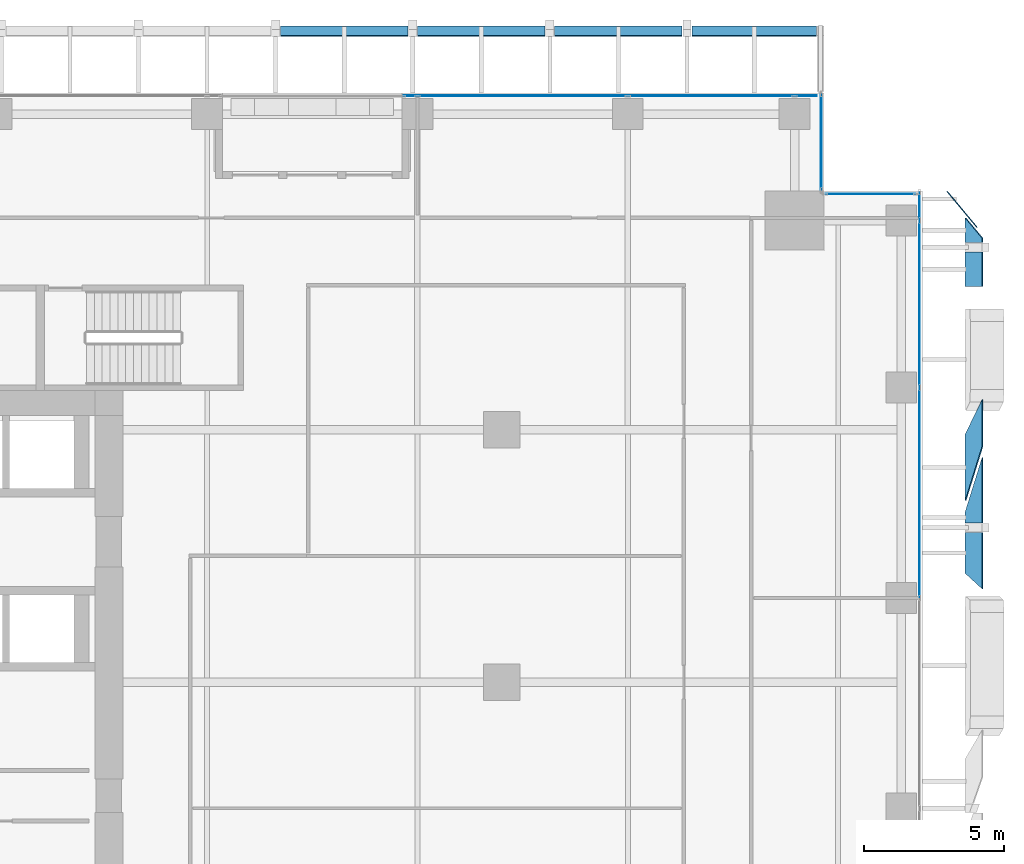
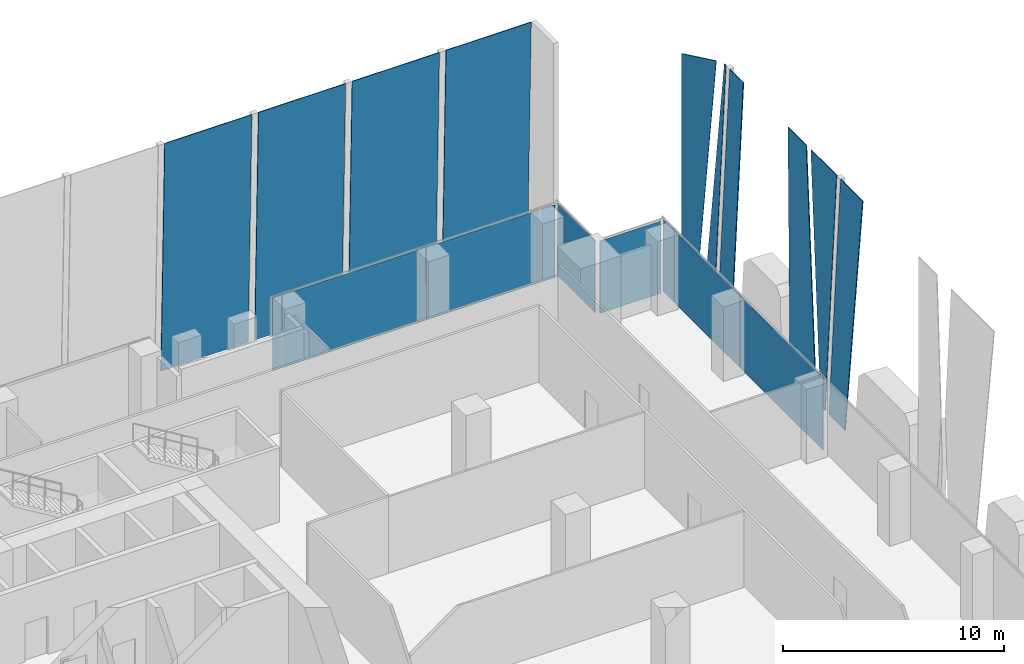
# One storey, part 25 of 34: 19 plates, 4 elements without a shape of their own.
"""IFC4 building model written with IfcOpenShell, lengths in metres."""

from ifc_helpers import new_model, si_unit, direction, frame, origin, origin_2d, place, context, subcontext, project, spatial, polyline, rectangle, outline, extrude, source, transform, mapped, material, layer, layer_set, type_object, element, aggregate, save


model = new_model("IFC4")

# Units and contexts
model_context = context("Model", 3, precision=1e-05, world=origin(), true_north=direction((0.0, 1.0)))
body_context = subcontext(model_context, "Body", "Model", "MODEL_VIEW")
ifc_project = project(units=[si_unit("LENGTHUNIT", "METRE"), si_unit("AREAUNIT", "SQUARE_METRE"), si_unit("VOLUMEUNIT", "CUBIC_METRE"), si_unit("PLANEANGLEUNIT", "RADIAN"), si_unit("MASSUNIT", "GRAM", prefix="KILO")], contexts=[model_context])

# Site, building, storey
site_placement = place(None, origin())
site = spatial("IfcSite", under=ifc_project, at=site_placement, CompositionType="ELEMENT")
building_placement = place(site_placement, origin())
building = spatial("IfcBuilding", under=site, at=building_placement, Name="Khomas Fold Tower", CompositionType="ELEMENT")
storey_placement = place(building_placement, frame((0.0, 0.0, 114.699951171875)))
storey = spatial("IfcBuildingStorey", under=building, at=storey_placement, Name="L24", CompositionType="ELEMENT", Elevation=114.699951171875)

# Plates
ifc_material_1 = material(Name="Clear laminated glass", Category="glass")
ifc_layer_1 = layer(ifc_material_1, 0.0400390625)
ifc_layer_set_1 = layer_set([ifc_layer_1], Name="Clear laminated glass")
plate_type_1 = type_object("IfcPlateType", Name="SK-Clear laminated glass leaf", PredefinedType="SHEET", material=ifc_layer_set_1)
plate_1_placement = place(storey_placement, frame((54.026611328125, 40.335205078125, 0.0), z_axis=(-0.998875266546, 0.0, 0.047415207295), x_axis=(0.0, -1.0, 0.0)))
element("IfcPlate", 1, at=plate_1_placement, inside=storey, type_object=plate_type_1, Name="OUTER SKIN glass L24 EG105-11", PredefinedType="SHEET", context=body_context, shape_type="SweptSolid", body=[
    extrude(outline(polyline([(0.0, 0.0), (2.36572265625, 0.0), (0.41943359375, 12.764356498773964), (-1.240234375, 12.764356498773964), (0.0, 0.0)])), origin(), (0.0, 0.0, -1.0), 0.0400390625),
])
plate_2_placement = place(storey_placement, frame((54.026611328125, 35.3779296875, 0.0), z_axis=(-0.998875266546, 0.0, 0.047415207295), x_axis=(0.047370500658, -0.043414996973, 0.997933451541)))
element("IfcPlate", 2, at=plate_2_placement, inside=storey, type_object=plate_type_1, Name="OUTER SKIN glass L24 EG104-12", PredefinedType="SHEET", context=body_context, shape_type="SweptSolid", body=[
    extrude(outline(polyline([(0.0, 0.0), (12.776403056042392, -1.1102230246251565e-16), (12.689276279891136, 2.0049437410857673), (-0.06304502001796496, 1.4507792423331076), (0.0, 0.0)])), origin(), (0.0, 0.0, -1.0), 0.0400390625),
])
plate_3_placement = place(storey_placement, frame((54.026611328125, 37.564697265625, 0.0), z_axis=(-0.998875266546, 0.0, 0.047415207295), x_axis=(0.0, -1.0, 0.0)))
element("IfcPlate", 3, at=plate_3_placement, inside=storey, type_object=plate_type_1, Name="OUTER SKIN glass L24 EG105-14", PredefinedType="SHEET", context=body_context, shape_type="SweptSolid", body=[
    extrude(outline(polyline([(0.0, 0.0), (0.394775390625, 0.0), (0.394775390625, 12.764356498773964), (-1.946533203125, 12.764356498773964), (0.0, 0.0)])), origin(), (0.0, 0.0, -1.0), 0.0400390625),
])
plate_4_placement = place(storey_placement, frame((54.026611328125, 45.60009765625, 0.0), z_axis=(-0.998875266546, 0.0, 0.047415207295), x_axis=(0.047415207295, 0.0, 0.998875266546)))
element("IfcPlate", 4, at=plate_4_placement, inside=storey, type_object=plate_type_1, Name="OUTER SKIN glass L24 EG106-15", PredefinedType="SHEET", context=body_context, shape_type="SweptSolid", body=[
    extrude(outline(polyline([(0.0, 0.0), (12.764356498773964, 0.0), (12.764356498773964, 1.22998046875), (0.0, 1.22998046875), (0.0, 0.0)])), origin(), (0.0, 0.0, -1.0), 0.0400390625),
])
plate_5_placement = place(storey_placement, frame((54.026611328125, 48.0478515625, 0.0), z_axis=(-0.998875266546, 0.0, 0.047415207295), x_axis=(0.0, -1.0, 0.0)))
element("IfcPlate", 5, at=plate_5_placement, inside=storey, type_object=plate_type_1, Name="OUTER SKIN glass L24 EG107-17", PredefinedType="SHEET", context=body_context, shape_type="SweptSolid", body=[
    extrude(outline(polyline([(0.0, 0.0), (0.8779296875, 0.0), (0.8779296875, 12.764356498773964), (0.726318359375, 12.764356498773964), (0.0, 0.0)])), origin(), (0.0, 0.0, -1.0), 0.0400390625),
])
plate_6_placement = place(storey_placement, frame((53.859619140625, 48.448486328125, 0.0), z_axis=(0.768179261714, 0.64023481775, 3.65917e-06), x_axis=(0.047341434832, -0.056807840813, 0.997262080784)))
element("IfcPlate", 6, at=plate_6_placement, inside=storey, type_object=plate_type_1, Name="OUTER SKIN glass L24 EG107-18", PredefinedType="SHEET", context=body_context, shape_type="SweptSolid", body=[
    extrude(outline(polyline([(0.0, 0.0), (12.785004309142087, -1.1102230246251565e-16), (12.661997576340434, -1.6588623331497576), (-0.05309395365883262, -0.7160222716524214), (0.0, 0.0)])), origin(), (0.0, 0.0, -1.0), 0.0400390625),
])
for number, where, z_axis, x_axis, name in (
    (7, (29.614501953125, 54.894287109375, 0.0009765625), (0.0, 0.999657592188, 0.026166741891), (1.0, 0.0, 0.0), "OUTER SKIN glass L24 N11"),
    (8, (34.50341796875, 54.894287109375, 0.0009765625), (0.0, 0.999657592188, 0.026166741891), (1.0, 0.0, 0.0), "OUTER SKIN glass L24 N13"),
    (9, (39.392333984375, 54.894287109375, 0.0009765625), (0.0, 0.999657592188, 0.026166741891), (1.0, 0.0, 0.0), "OUTER SKIN glass L24 N15"),
):
    element("IfcPlate", number, at=place(storey_placement, frame(where, z_axis=z_axis, x_axis=x_axis)), inside=storey, type_object=plate_type_1, Name=name, PredefinedType="SHEET", context=body_context, shape_type="SweptSolid", body=[
        extrude(outline(polyline([(0.0, 0.0), (4.548828125, 0.0), (4.548828125, -12.75436719496662), (0.0, -12.75436719496662), (0.0, 0.0)])), origin(), (0.0, 0.0, -1.0), 0.0400390625),
    ])
plate_7_placement = place(storey_placement, frame((44.281005859375, 54.894287109375, 0.0009765625), z_axis=(0.0, 0.999657592188, 0.026166741891), x_axis=(1.0, 0.0, 0.0)))
element("IfcPlate", 10, at=plate_7_placement, inside=storey, type_object=plate_type_1, Name="OUTER SKIN glass L24 N17", PredefinedType="SHEET", context=body_context, shape_type="SweptSolid", body=[
    extrude(outline(polyline([(0.0, 0.0), (4.448974609375, 0.0), (4.448974609375, -12.75436719496662), (0.0, -12.75436719496662), (0.0, 0.0)])), origin(), (0.0, 0.0, -1.0), 0.0400390625),
])

# Curtain wall, plate
ifc_material_2 = material(Name="Aluminium framed double glazing", Category="aluminium")
curtain_wall_type = type_object("IfcCurtainWallType", Name="SK-Unitised clear-glass wall, growing floors CW1", PredefinedType="NOTDEFINED", material=ifc_material_2)
curtain_wall_1_placement = place(storey_placement, origin())
curtain_wall_1 = element("IfcCurtainWall", 11, at=curtain_wall_1_placement, inside=storey, type_object=curtain_wall_type, Name="CW1 run L24 06-0", PredefinedType="NOTDEFINED")
ifc_material_3 = material(Name="Clear double glazed unit")
ifc_layer_2 = layer(ifc_material_3, 0.031982421875)
ifc_layer_set_2 = layer_set([ifc_layer_2], Name="Clear double glazed unit")
plate_type_2 = type_object("IfcPlateType", Name="SK-Unitised clear-glass wall, growing floors glass panel CW1-P", PredefinedType="CURTAIN_PANEL", material=ifc_layer_set_2)
shared_shape_1 = source(origin(), body_context, "Body", "SweptSolid", [
    extrude(rectangle(XDim=0.760009765625, YDim=0.031982421875, at=origin_2d()), origin(), (0.0, 0.0, 1.0), 3.97998046875),
])
plate_8_placement = place(storey_placement, frame((48.360107421875, 52.39990234375, 0.0), z_axis=(0.0, 0.0, 1.0), x_axis=(-1.0, 0.0, 0.0)))
plate_8 = element("IfcPlate", 12, at=plate_8_placement, type_object=plate_type_2, Name="CW1 glass panel 1", PredefinedType="CURTAIN_PANEL", context=body_context, shape_type="MappedRepresentation", body=[
    mapped(shared_shape_1, transform((0.0, 0.0, 0.0))),
])

curtain_wall_2_placement = place(storey_placement, origin())
curtain_wall_2 = element("IfcCurtainWall", 13, at=curtain_wall_2_placement, inside=storey, type_object=curtain_wall_type, Name="CW1 run L24 03-0", PredefinedType="NOTDEFINED")
shared_shape_2 = source(origin(), body_context, "Body", "SweptSolid", [
    extrude(rectangle(XDim=5.889892578125, YDim=0.031982421875, at=origin_2d()), origin(), (0.0, 0.0, 1.0), 3.97998046875),
])
plate_9_placement = place(storey_placement, frame((52.39990234375, 44.97509765625, 0.0), z_axis=(0.0, 0.0, 1.0), x_axis=(0.0, 1.0, 0.0)))
plate_9 = element("IfcPlate", 14, at=plate_9_placement, type_object=plate_type_2, Name="CW1 glass panel 7", PredefinedType="CURTAIN_PANEL", context=body_context, shape_type="MappedRepresentation", body=[
    mapped(shared_shape_2, transform((0.0, 0.0, 0.0))),
])

# Plate
plate_10_placement = place(storey_placement, frame((44.97509765625, 52.39990234375, 0.0), z_axis=(0.0, 0.0, 1.0), x_axis=(-1.0, 0.0, 0.0)))
plate_10 = element("IfcPlate", 15, at=plate_10_placement, type_object=plate_type_2, Name="CW1 glass panel 2", PredefinedType="CURTAIN_PANEL", context=body_context, shape_type="MappedRepresentation", body=[
    mapped(shared_shape_2, transform((0.0, 0.0, 0.0))),
])

shared_shape_3 = source(origin(), body_context, "Body", "SweptSolid", [
    extrude(rectangle(XDim=7.43994140625, YDim=0.031982421875, at=origin_2d()), origin(), (0.0, 0.0, 1.0), 3.97998046875),
])
plate_11_placement = place(storey_placement, frame((52.39990234375, 38.25, 0.0), z_axis=(0.0, 0.0, 1.0), x_axis=(0.0, 1.0, 0.0)))
plate_11 = element("IfcPlate", 16, at=plate_11_placement, type_object=plate_type_2, Name="CW1 glass panel 6", PredefinedType="CURTAIN_PANEL", context=body_context, shape_type="MappedRepresentation", body=[
    mapped(shared_shape_3, transform((0.0, 0.0, 0.0))),
])

plate_12_placement = place(storey_placement, frame((38.25, 52.39990234375, 0.0), z_axis=(0.0, 0.0, 1.0), x_axis=(-1.0, 0.0, 0.0)))
plate_12 = element("IfcPlate", 17, at=plate_12_placement, type_object=plate_type_2, Name="CW1 glass panel 3", PredefinedType="CURTAIN_PANEL", context=body_context, shape_type="MappedRepresentation", body=[
    mapped(shared_shape_3, transform((0.0, 0.0, 0.0))),
])

shared_shape_4 = source(origin(), body_context, "Body", "SweptSolid", [
    extrude(rectangle(XDim=0.9599609375, YDim=0.031982421875, at=origin_2d()), origin(), (0.0, 0.0, 1.0), 3.97998046875),
])
plate_13_placement = place(storey_placement, frame((52.39990234375, 48.4599609375, 0.0), z_axis=(0.0, 0.0, 1.0), x_axis=(0.0, 1.0, 0.0)))
plate_13 = element("IfcPlate", 18, at=plate_13_placement, type_object=plate_type_2, Name="CW1 glass panel 8", PredefinedType="CURTAIN_PANEL", context=body_context, shape_type="MappedRepresentation", body=[
    mapped(shared_shape_4, transform((0.0, 0.0, 0.0))),
])

aggregate(curtain_wall_2, [plate_11, plate_9, plate_13])

# Curtain wall, plate
curtain_wall_3_placement = place(storey_placement, origin())
curtain_wall_3 = element("IfcCurtainWall", 19, at=curtain_wall_3_placement, inside=storey, type_object=curtain_wall_type, Name="CW1 corner return L24 04", PredefinedType="NOTDEFINED")
shared_shape_5 = source(origin(), body_context, "Body", "SweptSolid", [
    extrude(rectangle(XDim=3.179931640625, YDim=0.031982421875, at=origin_2d()), origin(), (0.0, 0.0, 1.0), 3.97998046875),
])
plate_14_placement = place(storey_placement, frame((50.64990234375, 48.89990234375, 0.0), z_axis=(0.0, 0.0, 1.0), x_axis=(-1.0, 0.0, 0.0)))
plate_14 = element("IfcPlate", 20, at=plate_14_placement, type_object=plate_type_2, Name="CW1 glass panel 1", PredefinedType="CURTAIN_PANEL", context=body_context, shape_type="MappedRepresentation", body=[
    mapped(shared_shape_5, transform((0.0, 0.0, 0.0))),
])
aggregate(curtain_wall_3, [plate_14])

curtain_wall_4_placement = place(storey_placement, origin())
curtain_wall_4 = element("IfcCurtainWall", 21, at=curtain_wall_4_placement, inside=storey, type_object=curtain_wall_type, Name="CW1 corner return L24 05", PredefinedType="NOTDEFINED")
shared_shape_6 = source(origin(), body_context, "Body", "SweptSolid", [
    extrude(rectangle(XDim=3.3798828125, YDim=0.031982421875, at=origin_2d()), origin(), (0.0, 0.0, 1.0), 3.97998046875),
])
plate_15_placement = place(storey_placement, frame((48.89990234375, 50.75, 0.0), z_axis=(0.0, 0.0, 1.0), x_axis=(0.0, 1.0, 0.0)))
plate_15 = element("IfcPlate", 22, at=plate_15_placement, type_object=plate_type_2, Name="CW1 glass panel 1", PredefinedType="CURTAIN_PANEL", context=body_context, shape_type="MappedRepresentation", body=[
    mapped(shared_shape_6, transform((0.0, 0.0, 0.0))),
])
aggregate(curtain_wall_4, [plate_15])

# Plate
shared_shape_7 = source(origin(), body_context, "Body", "SweptSolid", [
    extrude(rectangle(XDim=0.4599609375, YDim=0.031982421875, at=origin_2d()), origin(), (0.0, 0.0, 1.0), 3.97998046875),
])
plate_16_placement = place(storey_placement, frame((34.239990234375, 52.39990234375, 0.0), z_axis=(0.0, 0.0, 1.0), x_axis=(-1.0, 0.0, 0.0)))
plate_16 = element("IfcPlate", 23, at=plate_16_placement, type_object=plate_type_2, Name="CW1 glass panel 4", PredefinedType="CURTAIN_PANEL", context=body_context, shape_type="MappedRepresentation", body=[
    mapped(shared_shape_7, transform((0.0, 0.0, 0.0))),
])

aggregate(curtain_wall_1, [plate_8, plate_10, plate_12, plate_16])

save(model, "model.ifc")
